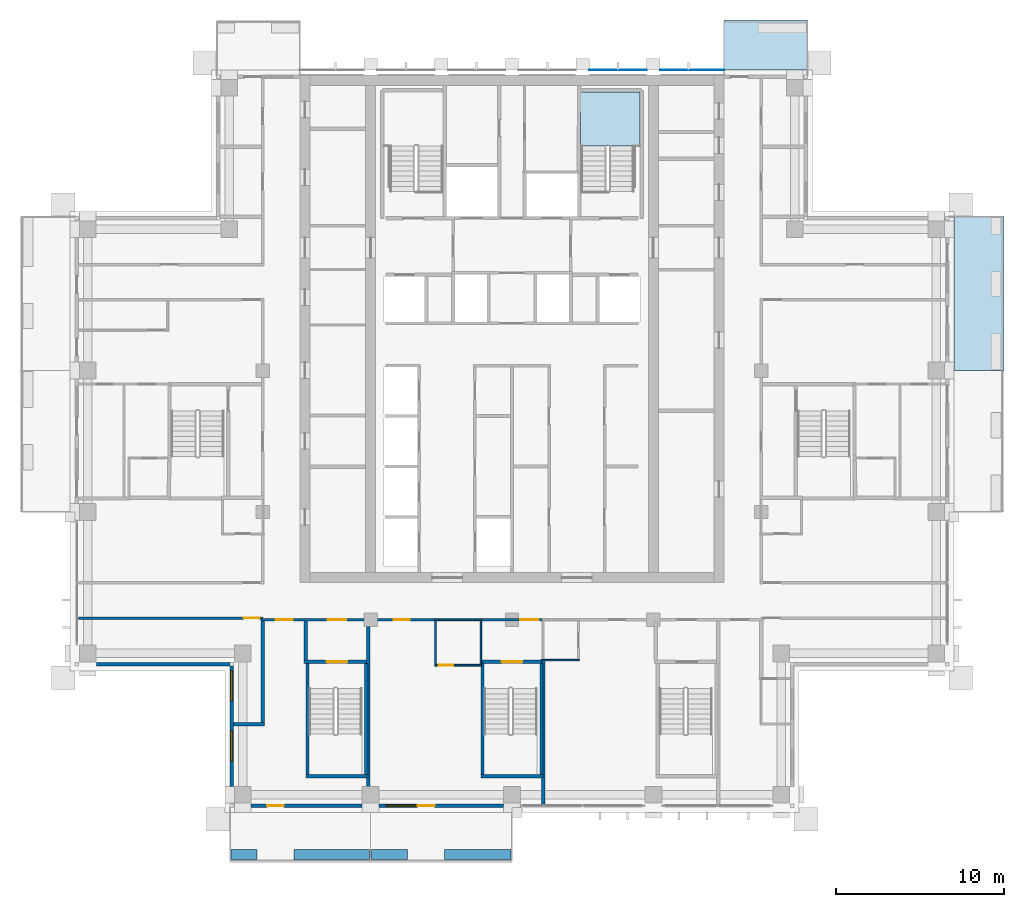
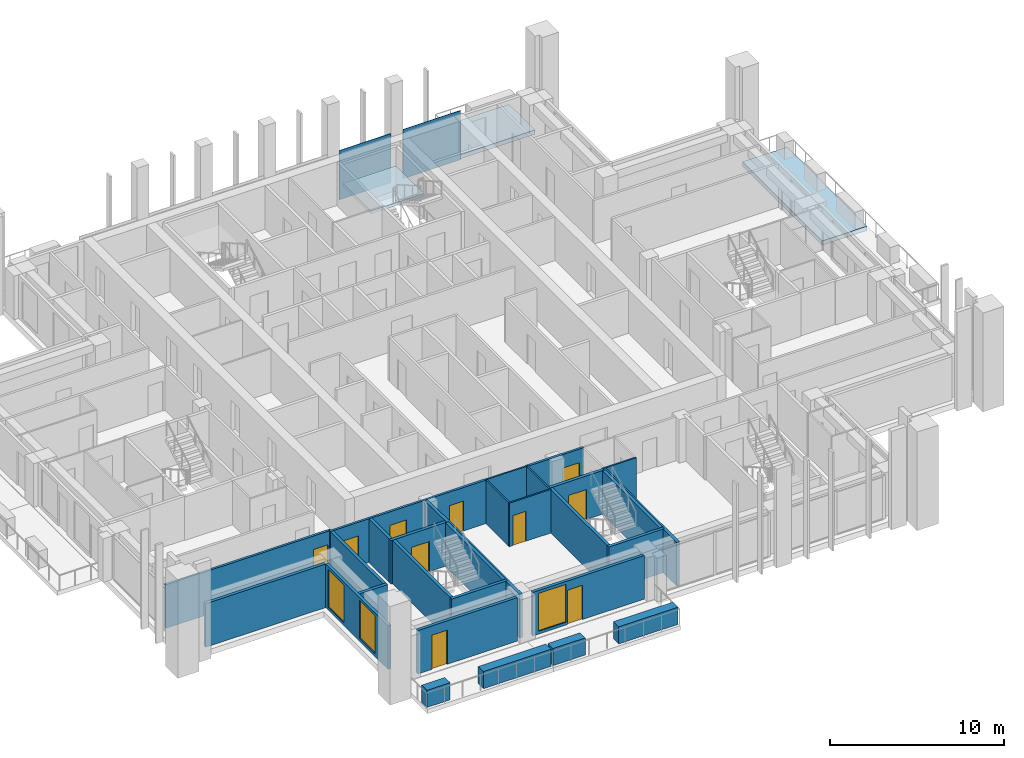
# One storey, part 6 of 17: 29 walls, 10 doors, 3 slabs, 3 windows, 2 plates, 13 openings, 1 element without a shape of its own.
"""IFC4 building model written with IfcOpenShell, lengths in metres."""

from ifc_helpers import new_model, si_unit, direction, frame, frame_2d, origin, origin_2d, place, context, subcontext, project, spatial, polyline, rectangle, outline, extrude, material, layer, layer_set, type_object, element, fill, aggregate, save


model = new_model("IFC4")

# Units and contexts
model_context = context("Model", 3, precision=1e-05, world=origin(), true_north=direction((0.0, 1.0)))
body_context = subcontext(model_context, "Body", "Model", "MODEL_VIEW")
ifc_project = project(units=[si_unit("LENGTHUNIT", "METRE"), si_unit("AREAUNIT", "SQUARE_METRE"), si_unit("VOLUMEUNIT", "CUBIC_METRE"), si_unit("PLANEANGLEUNIT", "RADIAN"), si_unit("MASSUNIT", "GRAM", prefix="KILO")], contexts=[model_context])

# Site, building, storey
site_placement = place(None, origin())
site = spatial("IfcSite", under=ifc_project, at=site_placement, CompositionType="ELEMENT")
building_placement = place(site_placement, origin())
building = spatial("IfcBuilding", under=site, at=building_placement, Name="Vermilion Ogive Tower", CompositionType="ELEMENT")
storey_placement = place(building_placement, frame((0.0, 0.0, 192.800048828125)))
storey = spatial("IfcBuildingStorey", under=building, at=storey_placement, Name="L50", CompositionType="ELEMENT", Elevation=192.800048828125)

# Slabs
ifc_material_1 = material(Name="Concrete B40", Category="concrete")
ifc_layer_1 = layer(ifc_material_1, 0.300048828125)
ifc_layer_set_1 = layer_set([ifc_layer_1], Name="Balcony slab")
slab_type_1 = type_object("IfcSlabType", Name="Balcony slab", PredefinedType="FLOOR", material=ifc_layer_set_1)
slab_1_placement = place(storey_placement, frame((0.0, 0.0, -0.340087890625)))
element("IfcSlab", 1, at=slab_1_placement, inside=storey, type_object=slab_type_1, Name="Balcony slab E03", PredefinedType="FLOOR", context=body_context, shape_type="SweptSolid", body=[
    extrude(outline(polyline([(29.22998046875, 4.199951171875), (29.22998046875, 13.35009765625), (26.25, 13.35009765625), (26.25, 4.199951171875), (29.22998046875, 4.199951171875)])), origin(), (0.0, 0.0, 1.0), 0.300048828125),
])
slab_2_placement = place(storey_placement, frame((0.0, 0.0, -0.340087890625)))
element("IfcSlab", 2, at=slab_2_placement, inside=storey, type_object=slab_type_1, Name="Balcony slab N101", PredefinedType="FLOOR", context=body_context, shape_type="SweptSolid", body=[
    extrude(outline(polyline([(17.550048828125, 25.030029296875), (12.60009765625, 25.030029296875), (12.60009765625, 22.050048828125), (17.550048828125, 22.050048828125), (17.550048828125, 25.030029296875)])), origin(), (0.0, 0.0, 1.0), 0.300048828125),
])

# Plates
ifc_material_2 = material(Name="Low-iron laminated glazing in aluminium frame", Category="aluminium")
ifc_layer_2 = layer(ifc_material_2, 0.031982421875)
ifc_layer_set_2 = layer_set([ifc_layer_2], Name="Glazed rainscreen sheet 32")
plate_type = type_object("IfcPlateType", Name="Glazed rainscreen sheet 32", PredefinedType="SHEET", material=ifc_layer_set_2)
plate_1_placement = place(storey_placement, frame((6.300048828125, 22.06591796875, -0.39990234375), z_axis=(0.0, 0.0, 1.0), x_axis=(1.0, 0.0, 0.0)))
element("IfcPlate", 3, at=plate_1_placement, inside=storey, type_object=plate_type, Name="Glazed rainscreen sheet N5", PredefinedType="SHEET", context=body_context, shape_type="SweptSolid", body=[
    extrude(rectangle(XDim=3.39990234375, YDim=0.031982421875, at=origin_2d()), origin(), (0.0, 0.0, 1.0), 3.449951171875),
])
plate_2_placement = place(storey_placement, frame((10.7099609375, 22.06591796875, -0.39990234375), z_axis=(0.0, 0.0, 1.0), x_axis=(1.0, 0.0, 0.0)))
element("IfcPlate", 4, at=plate_2_placement, inside=storey, type_object=plate_type, Name="Glazed rainscreen sheet N6", PredefinedType="SHEET", context=body_context, shape_type="SweptSolid", body=[
    extrude(rectangle(XDim=3.820068359375, YDim=0.031982421875, at=origin_2d()), origin(), (0.0, 0.0, 1.0), 3.449951171875),
])

# Stair, slab
ifc_material_3 = material(Name="Concrete B40", Category="concrete")
stair_type = type_object("IfcStairType", Name="Exit stair 1500", PredefinedType="HALF_TURN_STAIR", material=ifc_material_3)
stair_placement = place(storey_placement, origin())
stair = element("IfcStair", 5, at=stair_placement, inside=storey, type_object=stair_type, Name="L50 Exit Stair ST2", PredefinedType="HALF_TURN_STAIR")
ifc_material_4 = material(Name="Concrete B40", Category="concrete")
ifc_layer_3 = layer(ifc_material_4, 0.199951171875)
ifc_layer_set_3 = layer_set([ifc_layer_3], Name="Stair landing 200")
slab_type_2 = type_object("IfcSlabType", Name="Stair landing 200", PredefinedType="LANDING", material=ifc_layer_set_3)
slab_3_placement = place(storey_placement, frame((0.0, 0.0, 1.52490234375)))
slab_3 = element("IfcSlab", 6, at=slab_3_placement, type_object=slab_type_2, Name="ST2 landing 1", PredefinedType="LANDING", context=body_context, shape_type="SweptSolid", body=[
    extrude(outline(polyline([(5.60009765625, 17.550048828125), (5.75, 17.550048828125), (5.75, 17.548095703125), (7.25, 17.548095703125), (7.25, 17.550048828125), (7.60009765625, 17.550048828125), (7.60009765625, 20.75), (4.074951171875, 20.75), (4.074951171875, 17.550048828125), (4.10009765625, 17.550048828125), (4.10009765625, 17.548095703125), (5.60009765625, 17.548095703125), (5.60009765625, 17.550048828125)])), origin(), (0.0, 0.0, 1.0), 0.199951171875),
])
aggregate(stair, [slab_3])

# Wall, opening, door
ifc_material_5 = material(Name="Gypsum board partition on steel studs", Category="steel")
ifc_layer_4 = layer(ifc_material_5, 0.10009765625)
ifc_layer_set_4 = layer_set([ifc_layer_4], Name="Partition 100 bath")
wall_type_1 = type_object("IfcWallType", Name="Partition 100 bath", PredefinedType="PARTITIONING", material=ifc_layer_set_4)
wall_1_placement = place(storey_placement, frame((-4.597900390625, -13.300048828125, 0.0), z_axis=(0.0, 0.0, 1.0), x_axis=(1.0, 0.0, 0.0)))
wall_1 = element("IfcWall", 7, at=wall_1_placement, inside=storey, type_object=wall_type_1, Name="L50-W-W007", PredefinedType="PARTITIONING", context=body_context, shape_type="SweptSolid", body=[
    extrude(rectangle(XDim=2.7958984375, YDim=0.10009765625, at=frame_2d((1.39794921875, 0.0))), origin(), (0.0, 0.0, 1.0), 3.050048828125),
])
opening_1_placement = place(wall_1_placement, frame((0.247802734375, 0.0, 0.0)))
opening_1 = element("IfcOpeningElement", 8, at=opening_1_placement, cuts=wall_1, Name="Opening D4G3012", PredefinedType="OPENING", context=body_context, shape_type="SweptSolid", body=[
    extrude(rectangle(XDim=0.85009765625, YDim=2.10009765625, at=frame_2d((0.425048828125, 1.050048828125))), frame((0.0, 0.06005859375, 0.0), z_axis=(0.0, -1.0, 0.0), x_axis=(1.0, 0.0, 0.0)), (0.0, 0.0, 1.0), 0.1201171875),
])
ifc_material_6 = material(Name="Timber door leaf", Category="wood")
door_type_1 = type_object("IfcDoorType", Name="Bath door 850 x 2100 FD30", OperationType="SINGLE_SWING_LEFT", PredefinedType="DOOR", material=ifc_material_6)
door_1_placement = place(opening_1_placement, origin())
door_1 = element("IfcDoor", 9, at=door_1_placement, inside=storey, type_object=door_type_1, Name="L50-D-D012", OperationType="SINGLE_SWING_LEFT", OverallHeight=2.10009765625, OverallWidth=0.85009765625, PredefinedType="DOOR", context=body_context, shape_type="SweptSolid", body=[
    extrude(rectangle(XDim=0.85009765625, YDim=2.10009765625, at=frame_2d((0.425048828125, 1.050048828125))), frame((0.0, 0.02490234375, 0.0), z_axis=(0.0, -1.0, 0.0), x_axis=(1.0, 0.0, 0.0)), (0.0, 0.0, 1.0), 0.050048828125),
])
fill(opening_1, door_1)

# Walls
wall_2_placement = place(storey_placement, frame((1.75, -13.0, 0.0), z_axis=(0.0, 0.0, 1.0), x_axis=(1.0, 0.0, 0.0)))
element("IfcWall", 10, at=wall_2_placement, inside=storey, type_object=wall_type_1, Name="L50-W-W011", PredefinedType="PARTITIONING", context=body_context, shape_type="SweptSolid", body=[
    extrude(rectangle(XDim=2.25, YDim=0.10009765625, at=frame_2d((1.125, 0.0))), origin(), (0.0, 0.0, 1.0), 3.050048828125),
])
wall_3_placement = place(storey_placement, frame((-4.60009765625, -10.60009765625, 0.0), z_axis=(0.0, 0.0, 1.0), x_axis=(1.0, 0.0, 0.0)))
element("IfcWall", 11, at=wall_3_placement, inside=storey, type_object=wall_type_1, Name="L50-W-W013", PredefinedType="PARTITIONING", context=body_context, shape_type="SweptSolid", body=[
    extrude(rectangle(XDim=2.800048828125, YDim=0.10009765625, at=frame_2d((1.39990234375, 0.0))), origin(), (0.0, 0.0, 1.0), 3.050048828125),
])
for number, where, z_axis, x_axis, name in (
    (12, (-4.550048828125, -13.248046875, 0.0), (0.0, 0.0, 1.0), (0.0, 1.0, 0.0), "L50-W-W062"),
    (13, (-1.85009765625, -13.248046875, 0.0), (0.0, 0.0, 1.0), (0.0, 1.0, 0.0), "L50-W-W063"),
):
    element("IfcWall", number, at=place(storey_placement, frame(where, z_axis=z_axis, x_axis=x_axis)), inside=storey, type_object=wall_type_1, Name=name, PredefinedType="PARTITIONING", context=body_context, shape_type="SweptSolid", body=[
        extrude(rectangle(XDim=2.572998046875, YDim=0.10009765625, at=frame_2d((1.28662109375, 0.0))), origin(), (0.0, 0.0, 1.0), 3.050048828125),
    ])

# Wall, openings, doors
ifc_material_7 = material(Name="Gypsum board partition on steel studs", Category="steel")
ifc_layer_5 = layer(ifc_material_7, 0.14990234375)
ifc_layer_set_5 = layer_set([ifc_layer_5], Name="Partition 150 corridor")
wall_type_2 = type_object("IfcWallType", Name="Partition 150 corridor", PredefinedType="PARTITIONING", material=ifc_layer_set_5)
wall_4_placement = place(storey_placement, frame((-14.89990234375, -10.60009765625, 0.0), z_axis=(0.0, 0.0, 1.0), x_axis=(1.0, 0.0, 0.0)))
wall_4 = element("IfcWall", 14, at=wall_4_placement, inside=storey, type_object=wall_type_2, Name="L50-W-W012", PredefinedType="PARTITIONING", context=body_context, shape_type="SweptSolid", body=[
    extrude(rectangle(XDim=10.39990234375, YDim=0.14990234375, at=frame_2d((5.199951171875, 0.0))), origin(), (0.0, 0.0, 1.0), 3.050048828125),
])
opening_2_placement = place(wall_4_placement, frame((7.875, 0.0, 0.0)))
opening_2 = element("IfcOpeningElement", 15, at=opening_2_placement, cuts=wall_4, Name="Opening D4G3011", PredefinedType="OPENING", context=body_context, shape_type="SweptSolid", body=[
    extrude(rectangle(XDim=0.949951171875, YDim=2.10009765625, at=frame_2d((0.47509765625, 1.050048828125))), frame((0.0, 0.0849609375, 0.0), z_axis=(0.0, -1.0, 0.0), x_axis=(1.0, 0.0, 0.0)), (0.0, 0.0, 1.0), 0.169921875),
])
opening_3_placement = place(wall_4_placement, frame((3.949951171875, 0.0, 0.0)))
opening_3 = element("IfcOpeningElement", 16, at=opening_3_placement, cuts=wall_4, Name="Opening D4G3025", PredefinedType="OPENING", context=body_context, shape_type="SweptSolid", body=[
    extrude(rectangle(XDim=1.10009765625, YDim=2.10009765625, at=frame_2d((0.550048828125, 1.050048828125))), frame((0.0, 0.0849609375, 0.0), z_axis=(0.0, -1.0, 0.0), x_axis=(1.0, 0.0, 0.0)), (0.0, 0.0, 1.0), 0.169921875),
])
opening_4_placement = place(wall_4_placement, frame((0.875, 0.0, 0.0)))
opening_4 = element("IfcOpeningElement", 17, at=opening_4_placement, cuts=wall_4, Name="Opening D4G3035", PredefinedType="OPENING", context=body_context, shape_type="SweptSolid", body=[
    extrude(rectangle(XDim=1.0, YDim=2.10009765625, at=frame_2d((0.5, 1.050048828125))), frame((0.0, 0.0849609375, 0.0), z_axis=(0.0, -1.0, 0.0), x_axis=(1.0, 0.0, 0.0)), (0.0, 0.0, 1.0), 0.169921875),
])
ifc_material_8 = material(Name="Timber door leaf", Category="wood")
door_type_2 = type_object("IfcDoorType", Name="Stair door 1100 x 2100 FD60S", OperationType="SINGLE_SWING_LEFT", PredefinedType="DOOR", material=ifc_material_8)
door_2_placement = place(opening_3_placement, origin())
door_2 = element("IfcDoor", 18, at=door_2_placement, inside=storey, type_object=door_type_2, Name="L50-D-D025", OperationType="SINGLE_SWING_RIGHT", OverallHeight=2.10009765625, OverallWidth=1.10009765625, PredefinedType="DOOR", context=body_context, shape_type="SweptSolid", body=[
    extrude(rectangle(XDim=1.10009765625, YDim=2.10009765625, at=frame_2d((0.550048828125, 1.050048828125))), frame((0.0, 0.02490234375, 0.0), z_axis=(0.0, -1.0, 0.0), x_axis=(1.0, 0.0, 0.0)), (0.0, 0.0, 1.0), 0.050048828125),
])
fill(opening_3, door_2)
ifc_material_9 = material(Name="Timber door leaf", Category="wood")
door_type_3 = type_object("IfcDoorType", Name="Unit door 1000 x 2100 FD30S", OperationType="SINGLE_SWING_LEFT", PredefinedType="DOOR", material=ifc_material_9)
door_3_placement = place(opening_4_placement, origin())
door_3 = element("IfcDoor", 19, at=door_3_placement, inside=storey, type_object=door_type_3, Name="L50-D-D035", OperationType="SINGLE_SWING_RIGHT", OverallHeight=2.10009765625, OverallWidth=1.0, PredefinedType="DOOR", context=body_context, shape_type="SweptSolid", body=[
    extrude(rectangle(XDim=1.0, YDim=2.10009765625, at=frame_2d((0.5, 1.050048828125))), frame((0.0, 0.02490234375, 0.0), z_axis=(0.0, -1.0, 0.0), x_axis=(1.0, 0.0, 0.0)), (0.0, 0.0, 1.0), 0.050048828125),
])
fill(opening_4, door_3)
ifc_material_10 = material(Name="Timber door leaf", Category="wood")
door_type_4 = type_object("IfcDoorType", Name="Unit door 950 x 2100 FD30S", OperationType="SINGLE_SWING_LEFT", PredefinedType="DOOR", material=ifc_material_10)
door_4_placement = place(opening_2_placement, origin())
door_4 = element("IfcDoor", 20, at=door_4_placement, inside=storey, type_object=door_type_4, Name="L50-D-D011", OperationType="SINGLE_SWING_LEFT", OverallHeight=2.10009765625, OverallWidth=0.949951171875, PredefinedType="DOOR", context=body_context, shape_type="SweptSolid", body=[
    extrude(rectangle(XDim=0.949951171875, YDim=2.10009765625, at=frame_2d((0.47509765625, 1.050048828125))), frame((0.0, 0.02490234375, 0.0), z_axis=(0.0, -1.0, 0.0), x_axis=(1.0, 0.0, 0.0)), (0.0, 0.0, 1.0), 0.050048828125),
])
fill(opening_2, door_4)

# Wall, opening, door
wall_5_placement = place(storey_placement, frame((-1.89990234375, -10.60009765625, 0.0), z_axis=(0.0, 0.0, 1.0), x_axis=(1.0, 0.0, 0.0)))
wall_5 = element("IfcWall", 21, at=wall_5_placement, inside=storey, type_object=wall_type_2, Name="L50-W-W014", PredefinedType="PARTITIONING", context=body_context, shape_type="SweptSolid", body=[
    extrude(rectangle(XDim=3.7998046875, YDim=0.14990234375, at=frame_2d((1.89990234375, 0.0))), origin(), (0.0, 0.0, 1.0), 3.050048828125),
])
opening_5_placement = place(wall_5_placement, frame((2.39990234375, 0.0, 0.0)))
opening_5 = element("IfcOpeningElement", 22, at=opening_5_placement, cuts=wall_5, Name="Opening D4G3027", PredefinedType="OPENING", context=body_context, shape_type="SweptSolid", body=[
    extrude(rectangle(XDim=1.10009765625, YDim=2.10009765625, at=frame_2d((0.550048828125, 1.050048828125))), frame((0.0, 0.0849609375, 0.0), z_axis=(0.0, -1.0, 0.0), x_axis=(1.0, 0.0, 0.0)), (0.0, 0.0, 1.0), 0.169921875),
])
door_5_placement = place(opening_5_placement, origin())
door_5 = element("IfcDoor", 23, at=door_5_placement, inside=storey, type_object=door_type_2, Name="L50-D-D027", OperationType="SINGLE_SWING_LEFT", OverallHeight=2.10009765625, OverallWidth=1.10009765625, PredefinedType="DOOR", context=body_context, shape_type="SweptSolid", body=[
    extrude(rectangle(XDim=1.10009765625, YDim=2.10009765625, at=frame_2d((0.550048828125, 1.050048828125))), frame((0.0, 0.02490234375, 0.0), z_axis=(0.0, -1.0, 0.0), x_axis=(1.0, 0.0, 0.0)), (0.0, 0.0, 1.0), 0.050048828125),
])
fill(opening_5, door_5)

wall_6_placement = place(storey_placement, frame((-25.75, -10.5, 0.0), z_axis=(0.0, 0.0, 1.0), x_axis=(1.0, 0.0, 0.0)))
wall_6 = element("IfcWall", 24, at=wall_6_placement, inside=storey, type_object=wall_type_2, Name="L50-W-W017", PredefinedType="PARTITIONING", context=body_context, shape_type="SweptSolid", body=[
    extrude(rectangle(XDim=10.949951171875, YDim=0.14990234375, at=frame_2d((5.47509765625, 0.0))), origin(), (0.0, 0.0, 1.0), 3.050048828125),
])
opening_6_placement = place(wall_6_placement, frame((9.800048828125, 0.0, 0.0)))
opening_6 = element("IfcOpeningElement", 25, at=opening_6_placement, cuts=wall_6, Name="Opening D4G3001", PredefinedType="OPENING", context=body_context, shape_type="SweptSolid", body=[
    extrude(rectangle(XDim=0.949951171875, YDim=2.10009765625, at=frame_2d((0.47509765625, 1.050048828125))), frame((0.0, 0.0849609375, 0.0), z_axis=(0.0, -1.0, 0.0), x_axis=(1.0, 0.0, 0.0)), (0.0, 0.0, 1.0), 0.169921875),
])
door_6_placement = place(opening_6_placement, origin())
door_6 = element("IfcDoor", 26, at=door_6_placement, inside=storey, type_object=door_type_4, Name="L50-D-D001", OperationType="SINGLE_SWING_RIGHT", OverallHeight=2.10009765625, OverallWidth=0.949951171875, PredefinedType="DOOR", context=body_context, shape_type="SweptSolid", body=[
    extrude(rectangle(XDim=0.949951171875, YDim=2.10009765625, at=frame_2d((0.47509765625, 1.050048828125))), frame((0.0, 0.02490234375, 0.0), z_axis=(0.0, -1.0, 0.0), x_axis=(1.0, 0.0, 0.0)), (0.0, 0.0, 1.0), 0.050048828125),
])
fill(opening_6, door_6)

# Walls
ifc_material_11 = material(Name="Gypsum board partition on steel studs", Category="steel")
ifc_layer_6 = layer(ifc_material_11, 0.199951171875)
ifc_layer_set_6 = layer_set([ifc_layer_6], Name="Partition 200 party")
wall_type_3 = type_object("IfcWallType", Name="Partition 200 party", PredefinedType="PARTITIONING", material=ifc_layer_set_6)
wall_7_placement = place(storey_placement, frame((-16.550048828125, -16.800048828125, 0.0), z_axis=(0.0, 0.0, 1.0), x_axis=(1.0, 0.0, 0.0)))
element("IfcWall", 27, at=wall_7_placement, inside=storey, type_object=wall_type_3, Name="L50-W-W004", PredefinedType="PARTITIONING", context=body_context, shape_type="SweptSolid", body=[
    extrude(rectangle(XDim=1.84814453125, YDim=0.199951171875, at=frame_2d((0.924072265625, 0.0))), origin(), (0.0, 0.0, 1.0), 3.050048828125),
])
wall_8_placement = place(storey_placement, frame((-14.800048828125, -16.697998046875, 0.0), z_axis=(0.0, 0.0, 1.0), x_axis=(0.0, 1.0, 0.0)))
element("IfcWall", 28, at=wall_8_placement, inside=storey, type_object=wall_type_3, Name="L50-W-W053", PredefinedType="PARTITIONING", context=body_context, shape_type="SweptSolid", body=[
    extrude(rectangle(XDim=6.02294921875, YDim=0.199951171875, at=frame_2d((3.011474609375, 0.0))), origin(), (0.0, 0.0, 1.0), 3.050048828125),
])
wall_9_placement = place(storey_placement, frame((-12.25, -12.998046875, 0.0), z_axis=(0.0, 0.0, 1.0), x_axis=(0.0, 1.0, 0.0)))
element("IfcWall", 29, at=wall_9_placement, inside=storey, type_object=wall_type_3, Name="L50-W-W058", PredefinedType="PARTITIONING", context=body_context, shape_type="SweptSolid", body=[
    extrude(rectangle(XDim=2.322998046875, YDim=0.199951171875, at=frame_2d((1.16162109375, 0.0))), origin(), (0.0, 0.0, 1.0), 3.050048828125),
])
ifc_material_12 = material(Name="Concrete B60", Category="concrete")
ifc_layer_7 = layer(ifc_material_12, 0.199951171875)
ifc_layer_set_7 = layer_set([ifc_layer_7], Name="Stair shaft wall 200 Concrete B60")
wall_type_4 = type_object("IfcWallType", Name="Stair shaft wall 200 Concrete B60", PredefinedType="SOLIDWALL", material=ifc_layer_set_7)
wall_10_placement = place(storey_placement, frame((-12.248046875, -19.89990234375, 0.0), z_axis=(0.0, 0.0, 1.0), x_axis=(1.0, 0.0, 0.0)))
element("IfcWall", 30, at=wall_10_placement, inside=storey, type_object=wall_type_4, Name="L50-W-W001", PredefinedType="SOLIDWALL", context=body_context, shape_type="SweptSolid", body=[
    extrude(rectangle(XDim=3.696044921875, YDim=0.199951171875, at=frame_2d((1.84814453125, 0.0))), origin(), (0.0, 0.0, 1.0), 3.050048828125),
])
wall_11_placement = place(storey_placement, frame((-1.847900390625, -19.89990234375, 0.0), z_axis=(0.0, 0.0, 1.0), x_axis=(1.0, 0.0, 0.0)))
element("IfcWall", 31, at=wall_11_placement, inside=storey, type_object=wall_type_4, Name="L50-W-W002", PredefinedType="SOLIDWALL", context=body_context, shape_type="SweptSolid", body=[
    extrude(rectangle(XDim=3.69580078125, YDim=0.199951171875, at=frame_2d((1.847900390625, 0.0))), origin(), (0.0, 0.0, 1.0), 3.050048828125),
])

# Wall, opening, door
wall_12_placement = place(storey_placement, frame((-12.347900390625, -13.10009765625, 0.0), z_axis=(0.0, 0.0, 1.0), x_axis=(1.0, 0.0, 0.0)))
wall_12 = element("IfcWall", 32, at=wall_12_placement, inside=storey, type_object=wall_type_4, Name="L50-W-W008", PredefinedType="SOLIDWALL", context=body_context, shape_type="SweptSolid", body=[
    extrude(rectangle(XDim=3.69580078125, YDim=0.199951171875, at=frame_2d((1.847900390625, 0.0))), origin(), (0.0, 0.0, 1.0), 3.050048828125),
])
opening_7_placement = place(wall_12_placement, frame((1.347900390625, 0.0, 0.0)))
opening_7 = element("IfcOpeningElement", 33, at=opening_7_placement, cuts=wall_12, Name="Opening D4G3026", PredefinedType="OPENING", context=body_context, shape_type="SweptSolid", body=[
    extrude(rectangle(XDim=1.199951171875, YDim=2.10009765625, at=frame_2d((0.60009765625, 1.050048828125))), frame((0.0, 0.10986328125, 0.0), z_axis=(0.0, -1.0, 0.0), x_axis=(1.0, 0.0, 0.0)), (0.0, 0.0, 1.0), 0.219970703125),
])
ifc_material_13 = material(Name="Timber door leaf", Category="wood")
door_type_5 = type_object("IfcDoorType", Name="Stair door 1200 x 2100 FD60S", OperationType="SINGLE_SWING_LEFT", PredefinedType="DOOR", material=ifc_material_13)
door_7_placement = place(opening_7_placement, origin())
door_7 = element("IfcDoor", 34, at=door_7_placement, inside=storey, type_object=door_type_5, Name="L50-D-D026", OperationType="SINGLE_SWING_RIGHT", OverallHeight=2.10009765625, OverallWidth=1.199951171875, PredefinedType="DOOR", context=body_context, shape_type="SweptSolid", body=[
    extrude(rectangle(XDim=1.199951171875, YDim=2.10009765625, at=frame_2d((0.60009765625, 1.050048828125))), frame((0.0, 0.02490234375, 0.0), z_axis=(0.0, -1.0, 0.0), x_axis=(1.0, 0.0, 0.0)), (0.0, 0.0, 1.0), 0.050048828125),
])
fill(opening_7, door_7)

wall_13_placement = place(storey_placement, frame((-1.798095703125, -13.10009765625, 0.0), z_axis=(0.0, 0.0, 1.0), x_axis=(1.0, 0.0, 0.0)))
wall_13 = element("IfcWall", 35, at=wall_13_placement, inside=storey, type_object=wall_type_4, Name="L50-W-W009", PredefinedType="SOLIDWALL", context=body_context, shape_type="SweptSolid", body=[
    extrude(rectangle(XDim=3.546142578125, YDim=0.199951171875, at=frame_2d((1.77294921875, 0.0))), origin(), (0.0, 0.0, 1.0), 3.050048828125),
])
opening_8_placement = place(wall_13_placement, frame((1.197998046875, 0.0, 0.0)))
opening_8 = element("IfcOpeningElement", 36, at=opening_8_placement, cuts=wall_13, Name="Opening D4G3028", PredefinedType="OPENING", context=body_context, shape_type="SweptSolid", body=[
    extrude(rectangle(XDim=1.199951171875, YDim=2.10009765625, at=frame_2d((0.60009765625, 1.050048828125))), frame((0.0, 0.10986328125, 0.0), z_axis=(0.0, -1.0, 0.0), x_axis=(1.0, 0.0, 0.0)), (0.0, 0.0, 1.0), 0.219970703125),
])
door_8_placement = place(opening_8_placement, origin())
door_8 = element("IfcDoor", 37, at=door_8_placement, inside=storey, type_object=door_type_5, Name="L50-D-D028", OperationType="SINGLE_SWING_RIGHT", OverallHeight=2.10009765625, OverallWidth=1.199951171875, PredefinedType="DOOR", context=body_context, shape_type="SweptSolid", body=[
    extrude(rectangle(XDim=1.199951171875, YDim=2.10009765625, at=frame_2d((0.60009765625, 1.050048828125))), frame((0.0, 0.02490234375, 0.0), z_axis=(0.0, -1.0, 0.0), x_axis=(1.0, 0.0, 0.0)), (0.0, 0.0, 1.0), 0.050048828125),
])
fill(opening_8, door_8)

# Walls
for number, where, z_axis, x_axis, name in (
    (38, (-12.14990234375, -19.798095703125, 0.0), (0.0, 0.0, 1.0), (0.0, 1.0, 0.0), "L50-W-W059"),
    (39, (-8.64990234375, -19.798095703125, 0.0), (0.0, 0.0, 1.0), (0.0, 1.0, 0.0), "L50-W-W060"),
    (40, (-1.75, -19.798095703125, 0.0), (0.0, 0.0, 1.0), (0.0, 1.0, 0.0), "L50-W-W064"),
    (41, (1.75, -19.798095703125, 0.0), (0.0, 0.0, 1.0), (0.0, 1.0, 0.0), "L50-W-W065"),
):
    element("IfcWall", number, at=place(storey_placement, frame(where, z_axis=z_axis, x_axis=x_axis)), inside=storey, type_object=wall_type_4, Name=name, PredefinedType="SOLIDWALL", context=body_context, shape_type="SweptSolid", body=[
        extrude(rectangle(XDim=6.59619140625, YDim=0.199951171875, at=frame_2d((3.298095703125, 0.0))), origin(), (0.0, 0.0, 1.0), 3.050048828125),
    ])
wall_14_placement = place(storey_placement, frame((1.85009765625, -21.550048828125, 0.0), z_axis=(0.0, 0.0, 1.0), x_axis=(0.0, 1.0, 0.0)))
element("IfcWall", 42, at=wall_14_placement, inside=storey, type_object=wall_type_4, Name="L50-W-W066-A", PredefinedType="SOLIDWALL", context=body_context, shape_type="SweptSolid", body=[
    extrude(rectangle(XDim=8.5, YDim=0.199951171875, at=frame_2d((4.25, 0.0))), origin(), (0.0, 0.0, 1.0), 3.050048828125),
])
wall_15_placement = place(storey_placement, frame((-8.550048828125, -21.550048828125, 0.0), z_axis=(0.0, 0.0, 1.0), x_axis=(0.0, 1.0, 0.0)))
element("IfcWall", 43, at=wall_15_placement, inside=storey, type_object=wall_type_4, Name="L50-W-W061-A", PredefinedType="SOLIDWALL", context=body_context, shape_type="SweptSolid", body=[
    extrude(rectangle(XDim=10.875, YDim=0.199951171875, at=frame_2d((5.4375, 0.0))), origin(), (0.0, 0.0, 1.0), 3.050048828125),
])
ifc_material_14 = material(Name="Concrete B40", Category="concrete")
ifc_layer_8 = layer(ifc_material_14, 0.60009765625)
ifc_layer_set_8 = layer_set([ifc_layer_8], Name="Structural planter")
wall_type_5 = type_object("IfcWallType", Name="Structural planter", PredefinedType="USERDEFINED", material=ifc_layer_set_8)
wall_16_placement = place(storey_placement, frame((-16.68994140625, -24.550048828125, -0.0400390625), z_axis=(0.0, 0.0, 1.0), x_axis=(1.0, 0.0, 0.0)))
element("IfcWall", 44, at=wall_16_placement, inside=storey, type_object=wall_type_5, Name="Planter S01A1", ObjectType="PLANTER", PredefinedType="USERDEFINED", context=body_context, shape_type="SweptSolid", body=[
    extrude(rectangle(XDim=1.5400390625, YDim=0.60009765625, at=frame_2d((0.77001953125, 0.0))), origin(), (0.0, 0.0, 1.0), 1.199951171875),
])
wall_17_placement = place(storey_placement, frame((-12.949951171875, -24.550048828125, -0.0400390625), z_axis=(0.0, 0.0, 1.0), x_axis=(1.0, 0.0, 0.0)))
element("IfcWall", 45, at=wall_17_placement, inside=storey, type_object=wall_type_5, Name="Planter S01A2", ObjectType="PLANTER", PredefinedType="USERDEFINED", context=body_context, shape_type="SweptSolid", body=[
    extrude(rectangle(XDim=4.489990234375, YDim=0.60009765625, at=frame_2d((2.2451171875, 0.0))), origin(), (0.0, 0.0, 1.0), 1.199951171875),
])
wall_18_placement = place(storey_placement, frame((-8.340087890625, -24.550048828125, -0.0400390625), z_axis=(0.0, 0.0, 1.0), x_axis=(1.0, 0.0, 0.0)))
element("IfcWall", 46, at=wall_18_placement, inside=storey, type_object=wall_type_5, Name="Planter S02A1", ObjectType="PLANTER", PredefinedType="USERDEFINED", context=body_context, shape_type="SweptSolid", body=[
    extrude(rectangle(XDim=2.14013671875, YDim=0.60009765625, at=frame_2d((1.070068359375, 0.0))), origin(), (0.0, 0.0, 1.0), 1.199951171875),
])
wall_19_placement = place(storey_placement, frame((-4.0, -24.550048828125, -0.0400390625), z_axis=(0.0, 0.0, 1.0), x_axis=(1.0, 0.0, 0.0)))
element("IfcWall", 47, at=wall_19_placement, inside=storey, type_object=wall_type_5, Name="Planter S02A2", ObjectType="PLANTER", PredefinedType="USERDEFINED", context=body_context, shape_type="SweptSolid", body=[
    extrude(rectangle(XDim=3.93994140625, YDim=0.60009765625, at=frame_2d((1.969970703125, 0.0))), origin(), (0.0, 0.0, 1.0), 1.199951171875),
])

# Wall, opening, door
ifc_material_15 = material(Name="Aluminium window wall framing", Category="aluminium")
ifc_layer_9 = layer(ifc_material_15, 0.199951171875)
ifc_layer_set_9 = layer_set([ifc_layer_9], Name="Window wall")
wall_type_6 = type_object("IfcWallType", Name="Window wall", PredefinedType="STANDARD", material=ifc_layer_set_9)
wall_20_placement = place(storey_placement, frame((-15.5, -21.64990234375, 0.0), z_axis=(0.0, 0.0, 1.0), x_axis=(1.0, 0.0, 0.0)))
wall_20 = element("IfcWall", 48, at=wall_20_placement, inside=storey, type_object=wall_type_6, Name="Window wall S1", PredefinedType="STANDARD", context=body_context, shape_type="SweptSolid", body=[
    extrude(rectangle(XDim=6.60009765625, YDim=0.199951171875, at=frame_2d((3.300048828125, 0.0))), origin(), (0.0, 0.0, 1.0), 3.050048828125),
])
opening_9_placement = place(wall_20_placement, frame((0.949951171875, 0.0, 0.0)))
opening_9 = element("IfcOpeningElement", 49, at=opening_9_placement, cuts=wall_20, Name="Opening D1-S96K", PredefinedType="OPENING", context=body_context, shape_type="SweptSolid", body=[
    extrude(rectangle(XDim=1.0, YDim=2.39990234375, at=frame_2d((0.5, 1.199951171875))), frame((0.0, 0.10986328125, 0.0), z_axis=(0.0, -1.0, 0.0), x_axis=(1.0, 0.0, 0.0)), (0.0, 0.0, 1.0), 0.219970703125),
])
ifc_material_16 = material(Name="Aluminium framed glazed door", Category="aluminium")
door_type_6 = type_object("IfcDoorType", Name="Balcony door D1", OperationType="SINGLE_SWING_LEFT", PredefinedType="DOOR", material=ifc_material_16)
door_9_placement = place(opening_9_placement, origin())
door_9 = element("IfcDoor", 50, at=door_9_placement, inside=storey, type_object=door_type_6, Name="Balcony door S96K", OperationType="SINGLE_SWING_LEFT", OverallHeight=2.39990234375, OverallWidth=1.0, PredefinedType="DOOR", context=body_context, shape_type="SweptSolid", body=[
    extrude(rectangle(XDim=1.0, YDim=2.39990234375, at=frame_2d((0.5, 1.199951171875))), frame((0.0, 0.02490234375, 0.0), z_axis=(0.0, -1.0, 0.0), x_axis=(1.0, 0.0, 0.0)), (0.0, 0.0, 1.0), 0.050048828125),
])
fill(opening_9, door_9)

# Wall, openings, door, window
wall_21_placement = place(storey_placement, frame((-7.89990234375, -21.64990234375, 0.0), z_axis=(0.0, 0.0, 1.0), x_axis=(1.0, 0.0, 0.0)))
wall_21 = element("IfcWall", 51, at=wall_21_placement, inside=storey, type_object=wall_type_6, Name="Window wall S2", PredefinedType="STANDARD", context=body_context, shape_type="SweptSolid", body=[
    extrude(rectangle(XDim=7.39990234375, YDim=0.199951171875, at=frame_2d((3.699951171875, 0.0))), origin(), (0.0, 0.0, 1.0), 3.050048828125),
])
opening_10_placement = place(wall_21_placement, frame((0.39990234375, 0.0, 0.199951171875)))
opening_10 = element("IfcOpeningElement", 52, at=opening_10_placement, cuts=wall_21, Name="Opening W1-S98", PredefinedType="OPENING", context=body_context, shape_type="SweptSolid", body=[
    extrude(rectangle(XDim=1.800048828125, YDim=2.64990234375, at=frame_2d((0.89990234375, 1.324951171875))), frame((0.0, 0.10986328125, 0.0), z_axis=(0.0, -1.0, 0.0), x_axis=(1.0, 0.0, 0.0)), (0.0, 0.0, 1.0), 0.219970703125),
])
opening_11_placement = place(wall_21_placement, frame((2.300048828125, 0.0, 0.0)))
opening_11 = element("IfcOpeningElement", 53, at=opening_11_placement, cuts=wall_21, Name="Opening D1-S98", PredefinedType="OPENING", context=body_context, shape_type="SweptSolid", body=[
    extrude(rectangle(XDim=1.0, YDim=2.39990234375, at=frame_2d((0.5, 1.199951171875))), frame((0.0, 0.10986328125, 0.0), z_axis=(0.0, -1.0, 0.0), x_axis=(1.0, 0.0, 0.0)), (0.0, 0.0, 1.0), 0.219970703125),
])
door_10_placement = place(opening_11_placement, origin())
door_10 = element("IfcDoor", 54, at=door_10_placement, inside=storey, type_object=door_type_6, Name="Balcony door S98", OperationType="SINGLE_SWING_LEFT", OverallHeight=2.39990234375, OverallWidth=1.0, PredefinedType="DOOR", context=body_context, shape_type="SweptSolid", body=[
    extrude(rectangle(XDim=1.0, YDim=2.39990234375, at=frame_2d((0.5, 1.199951171875))), frame((0.0, 0.02490234375, 0.0), z_axis=(0.0, -1.0, 0.0), x_axis=(1.0, 0.0, 0.0)), (0.0, 0.0, 1.0), 0.050048828125),
])
fill(opening_11, door_10)
ifc_material_17 = material(Name="Aluminium framed double glazing", Category="aluminium")
window_type = type_object("IfcWindowType", Name="Guest window W1", PartitioningType="SINGLE_PANEL", PredefinedType="WINDOW", material=ifc_material_17)
window_1_placement = place(opening_10_placement, origin())
window_1 = element("IfcWindow", 55, at=window_1_placement, inside=storey, type_object=window_type, Name="Window S98", OverallHeight=2.64990234375, OverallWidth=1.800048828125, PartitioningType="SINGLE_PANEL", PredefinedType="WINDOW", context=body_context, shape_type="SweptSolid", body=[
    extrude(rectangle(XDim=1.800048828125, YDim=2.64990234375, at=frame_2d((0.89990234375, 1.324951171875))), frame((0.0, 0.030029296875, 0.0), z_axis=(0.0, -1.0, 0.0), x_axis=(1.0, 0.0, 0.0)), (0.0, 0.0, 1.0), 0.06005859375),
])
fill(opening_10, window_1)

# Wall
wall_22_placement = place(storey_placement, frame((-24.699951171875, -13.25, 0.0), z_axis=(0.0, 0.0, 1.0), x_axis=(1.0, 0.0, 0.0)))
element("IfcWall", 56, at=wall_22_placement, inside=storey, type_object=wall_type_6, Name="Window wall X71", PredefinedType="STANDARD", context=body_context, shape_type="SweptSolid", body=[
    extrude(rectangle(XDim=7.949951171875, YDim=0.199951171875, at=frame_2d((3.97509765625, 0.0))), origin(), (0.0, 0.0, 1.0), 3.050048828125),
])

# Wall, openings, windows
wall_23_placement = place(storey_placement, frame((-16.64990234375, -13.35009765625, 0.0), z_axis=(0.0, 0.0, 1.0), x_axis=(0.0, -1.0, 0.0)))
wall_23 = element("IfcWall", 57, at=wall_23_placement, inside=storey, type_object=wall_type_6, Name="Window wall X81", PredefinedType="STANDARD", context=body_context, shape_type="SweptSolid", body=[
    extrude(rectangle(XDim=7.14990234375, YDim=0.199951171875, at=frame_2d((3.574951171875, 0.0))), origin(), (0.0, 0.0, 1.0), 3.050048828125),
])
opening_12_placement = place(wall_23_placement, frame((3.85009765625, 0.0, 0.199951171875)))
opening_12 = element("IfcOpeningElement", 58, at=opening_12_placement, cuts=wall_23, Name="Opening W1-X895", PredefinedType="OPENING", context=body_context, shape_type="SweptSolid", body=[
    extrude(rectangle(XDim=1.800048828125, YDim=2.64990234375, at=frame_2d((0.89990234375, 1.324951171875))), frame((0.0, 0.10986328125, 0.0), z_axis=(0.0, -1.0, 0.0), x_axis=(1.0, 0.0, 0.0)), (0.0, 0.0, 1.0), 0.219970703125),
])
opening_13_placement = place(wall_23_placement, frame((0.27490234375, 0.0, 0.199951171875)))
opening_13 = element("IfcOpeningElement", 59, at=opening_13_placement, cuts=wall_23, Name="Opening W1-X896", PredefinedType="OPENING", context=body_context, shape_type="SweptSolid", body=[
    extrude(rectangle(XDim=1.800048828125, YDim=2.64990234375, at=frame_2d((0.89990234375, 1.324951171875))), frame((0.0, 0.10986328125, 0.0), z_axis=(0.0, -1.0, 0.0), x_axis=(1.0, 0.0, 0.0)), (0.0, 0.0, 1.0), 0.219970703125),
])
window_2_placement = place(opening_12_placement, origin())
window_2 = element("IfcWindow", 60, at=window_2_placement, inside=storey, type_object=window_type, Name="Window X895", OverallHeight=2.64990234375, OverallWidth=1.800048828125, PartitioningType="SINGLE_PANEL", PredefinedType="WINDOW", context=body_context, shape_type="SweptSolid", body=[
    extrude(rectangle(XDim=1.800048828125, YDim=2.64990234375, at=frame_2d((0.89990234375, 1.324951171875))), frame((0.0, 0.030029296875, 0.0), z_axis=(0.0, -1.0, 0.0), x_axis=(1.0, 0.0, 0.0)), (0.0, 0.0, 1.0), 0.06005859375),
])
fill(opening_12, window_2)
window_3_placement = place(opening_13_placement, origin())
window_3 = element("IfcWindow", 61, at=window_3_placement, inside=storey, type_object=window_type, Name="Window X896", OverallHeight=2.64990234375, OverallWidth=1.800048828125, PartitioningType="SINGLE_PANEL", PredefinedType="WINDOW", context=body_context, shape_type="SweptSolid", body=[
    extrude(rectangle(XDim=1.800048828125, YDim=2.64990234375, at=frame_2d((0.89990234375, 1.324951171875))), frame((0.0, 0.030029296875, 0.0), z_axis=(0.0, -1.0, 0.0), x_axis=(1.0, 0.0, 0.0)), (0.0, 0.0, 1.0), 0.06005859375),
])
fill(opening_13, window_3)

save(model, "model.ifc")
